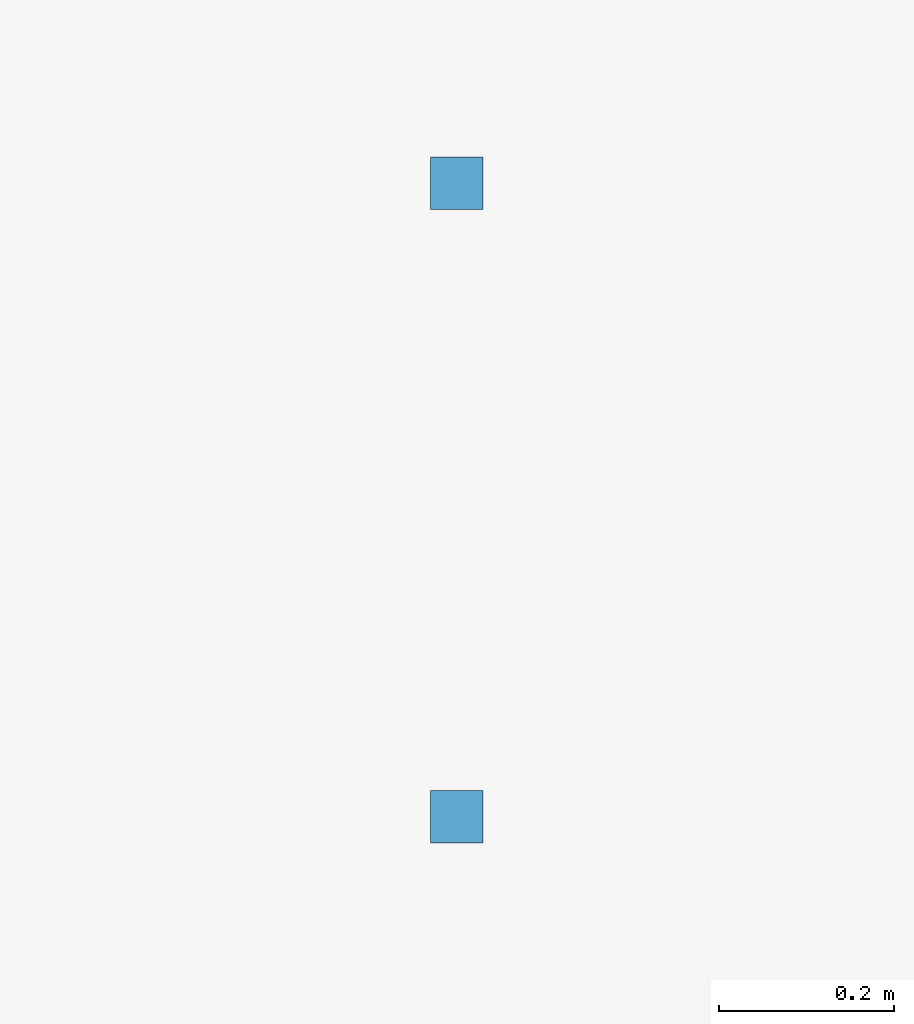
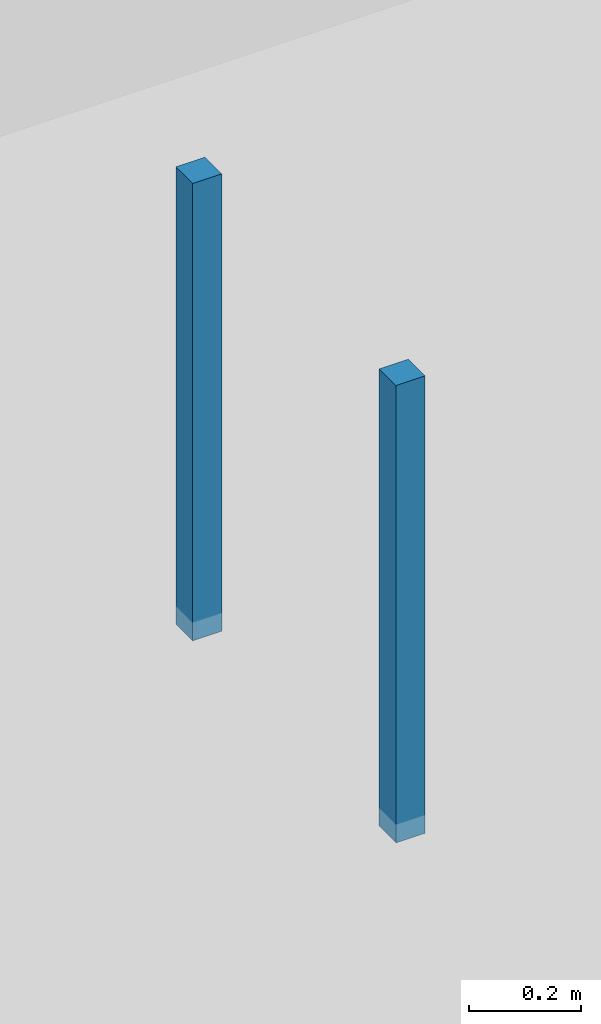
# One storey, part 15 of 35: 2 discrete accessories.
"""IFC4 building model written with IfcOpenShell, lengths in metres."""

import ifcopenshell
import ifcopenshell.guid

model = None  # the IFC model being written
_history = None  # IfcOwnerHistory: only IFC2X3 demands one
_inside = {}  # id of a spatial element -> (the spatial element, [elements in it])
_under = {}  # id of a project, library or spatial element -> (it, [spatial elements below it])
_declared = {}  # id of a project -> (the project, [libraries it declares])
_typed = {}  # id of a type object -> (the type object, [elements of that type])
_made_of = {}  # id of a material, layer set ... -> (it, [elements and type objects made of it])


def new_model(schema):
    """Start an empty IFC model of exactly this schema.

    Asked for "IFC4X3", IfcOpenShell would pick the latest addendum, in which some entities
    have other attributes; the version numbers below select the first issue.
    IFC2X3 requires an IfcOwnerHistory on every rooted entity: one is made here for all.
    """
    global model, _history
    if schema == "IFC4X3":
        model = ifcopenshell.file(schema_version=(4, 3, 0, 0))
    else:
        model = ifcopenshell.file(schema=schema)
    _inside.clear()
    _under.clear()
    _declared.clear()
    _typed.clear()
    _made_of.clear()
    _history = None
    if model.schema == "IFC2X3":
        org = make("IfcOrganization", Name="unknown")
        user = make(
            "IfcPersonAndOrganization",
            ThePerson=make("IfcPerson", FamilyName="unknown"),
            TheOrganization=org,
        )
        app = make(
            "IfcApplication",
            ApplicationDeveloper=org,
            Version="unknown",
            ApplicationFullName="unknown",
            ApplicationIdentifier="unknown",
        )
        _history = make(
            "IfcOwnerHistory",
            OwningUser=user,
            OwningApplication=app,
            ChangeAction="ADDED",
            CreationDate=0,
        )
    return model


def make(cls, **values):
    """One entity of the class cls with the attributes given. An attribute that is None is left unset."""
    return model.create_entity(
        cls, **{name: value for name, value in values.items() if value is not None}
    )


def rooted(cls, **values):
    """An entity with a GlobalId (a new one), such as an element, a storey or a relation."""
    return make(cls, GlobalId=ifcopenshell.guid.new(), OwnerHistory=_history, **values)


def si_unit(unit_type, name, prefix=None):
    """IfcSIUnit, for example si_unit("LENGTHUNIT", "METRE", prefix="MILLI")."""
    return make("IfcSIUnit", UnitType=unit_type, Prefix=prefix, Name=name)


def assignment(units):
    """IfcUnitAssignment: the units of a project."""
    return None if units is None else make("IfcUnitAssignment", Units=units)


def point(xyz):
    """IfcCartesianPoint."""
    return None if xyz is None else make("IfcCartesianPoint", Coordinates=xyz)


def direction(xyz):
    """IfcDirection."""
    return None if xyz is None else make("IfcDirection", DirectionRatios=xyz)


def frame(location, z_axis=None, x_axis=None):
    """IfcAxis2Placement3D, a coordinate frame: its origin and axes. An axis left out is left unset."""
    return make(
        "IfcAxis2Placement3D",
        Location=point(location),
        Axis=direction(z_axis),
        RefDirection=direction(x_axis),
    )


def frame_2d(location, x_axis=None):
    """IfcAxis2Placement2D, a coordinate frame in the plane: its origin and x axis."""
    return make(
        "IfcAxis2Placement2D", Location=point(location), RefDirection=direction(x_axis)
    )


def origin():
    """The frame at (0, 0, 0) with its axes left unset."""
    return frame((0.0, 0.0, 0.0))


def origin_2d():
    """The frame at (0, 0) in the plane with its x axis left unset."""
    return frame_2d((0.0, 0.0))


def place(relative_to, where):
    """IfcLocalPlacement: puts the frame where relative to a parent placement (None: the world)."""
    return make(
        "IfcLocalPlacement", PlacementRelTo=relative_to, RelativePlacement=where
    )


def context(
    kind, dimensions, precision=None, world=None, true_north=None, identifier=None
):
    """IfcGeometricRepresentationContext, for example the 3D "Model" context."""
    return make(
        "IfcGeometricRepresentationContext",
        ContextIdentifier=identifier,
        ContextType=kind,
        CoordinateSpaceDimension=dimensions,
        Precision=precision,
        WorldCoordinateSystem=world,
        TrueNorth=true_north,
    )


def subcontext(parent, identifier, kind, view, scale=None):
    """IfcGeometricRepresentationSubContext, for example "Body" below "Model"."""
    return make(
        "IfcGeometricRepresentationSubContext",
        ContextIdentifier=identifier,
        ContextType=kind,
        ParentContext=parent,
        TargetScale=scale,
        TargetView=view,
    )


def project(units=None, contexts=None):
    """IfcProject with its units and contexts."""
    return rooted(
        "IfcProject",
        Name="project",
        RepresentationContexts=contexts,
        UnitsInContext=assignment(units),
    )


def spatial(cls, under=None, at=None, **own):
    """A site, building, storey or space (cls), placed at a placement, below another one or the project."""
    s = rooted(cls, ObjectPlacement=at, **own)
    if under is not None:
        _under.setdefault(under.id(), (under, []))[1].append(s)
    return s


def profile(cls, at=None, kind="AREA", **sizes):
    """A parametric profile (cls). Its sizes go by their IFC names, for example OverallWidth=200.0."""
    return make(cls, ProfileType=kind, Position=at, **sizes)


def rectangle(**sizes):
    """IfcRectangleProfileDef."""
    return profile("IfcRectangleProfileDef", **sizes)


def extrude(swept, where, along, depth):
    """IfcExtrudedAreaSolid: the profile swept, set in the frame where, extruded along a direction by depth."""
    return make(
        "IfcExtrudedAreaSolid",
        SweptArea=swept,
        Position=where,
        ExtrudedDirection=direction(along),
        Depth=depth,
    )


def shape(context_of_items, identifier, shape_type, items):
    """IfcShapeRepresentation: the items that make up one representation, for example the "Body"."""
    return make(
        "IfcShapeRepresentation",
        ContextOfItems=context_of_items,
        RepresentationIdentifier=identifier,
        RepresentationType=shape_type,
        Items=items,
    )


def material(Name=None, Category=None):
    """IfcMaterial."""
    return make("IfcMaterial", Name=Name, Category=Category)


def made_of(thing, what):
    """Note that an element or type object is made of a material, layer set ...; save() writes the relation."""
    if what is not None:
        _made_of.setdefault(what.id(), (what, []))[1].append(thing)
    return thing


def type_object(cls, material=None, **own):
    """A type object (cls), such as IfcWallType, which elements share."""
    return made_of(rooted(cls, **own), material)


def element(
    cls,
    number,
    at=None,
    inside=None,
    cuts=None,
    type_object=None,
    material=None,
    context=None,
    identifier="Body",
    shape_type=None,
    held_by="IfcProductDefinitionShape",
    body=None,
    shapes=None,
    **own,
):
    """One element of the class cls, such as IfcWall. Its Tag is "e" and its number.

    at: its placement. inside: the storey or other place that contains it. cuts: it is an
    opening in that element (IfcRelVoidsElement). A single representation is given by context,
    identifier, shape_type and body (its items); several are given by shapes. held_by: the class
    of the entity that holds the representations. save() writes the other relations.
    """
    e = rooted(cls, Tag="e%d" % number, ObjectPlacement=at, **own)
    if body is not None:
        shapes = [shape(context, identifier, shape_type, body)]
    if shapes is not None:
        e.Representation = make(held_by, Representations=shapes)
    if inside is not None:
        _inside.setdefault(inside.id(), (inside, []))[1].append(e)
    if cuts is not None:
        rooted(
            "IfcRelVoidsElement", RelatingBuildingElement=cuts, RelatedOpeningElement=e
        )
    if type_object is not None:
        _typed.setdefault(type_object.id(), (type_object, []))[1].append(e)
    return made_of(e, material)


def aggregate(whole, parts):
    """IfcRelAggregates: a whole, such as a stair, and the parts it consists of."""
    return rooted("IfcRelAggregates", RelatingObject=whole, RelatedObjects=parts)


def save(model, path):
    """Write the relations noted so far, then the file.

    IfcRelAggregates (storeys below a building ...), IfcRelContainedInSpatialStructure (elements
    in a storey), IfcRelDefinesByType, IfcRelAssociatesMaterial and IfcRelDeclares: one each for
    every whole, place, type object, material and project.
    """
    for whole, parts in _under.values():
        aggregate(whole, parts)
    for where, things in _inside.values():
        rooted(
            "IfcRelContainedInSpatialStructure",
            RelatedElements=things,
            RelatingStructure=where,
        )
    for kind, things in _typed.values():
        rooted("IfcRelDefinesByType", RelatedObjects=things, RelatingType=kind)
    for what, things in _made_of.values():
        rooted("IfcRelAssociatesMaterial", RelatedObjects=things, RelatingMaterial=what)
    for by, libraries in _declared.values():
        rooted("IfcRelDeclares", RelatingContext=by, RelatedDefinitions=libraries)
    model.write(path)


model = new_model("IFC4")

# Units and contexts
model_context = context("Model", 3, precision=1e-05, world=origin(), true_north=direction((0.0, 1.0)))
body_context = subcontext(model_context, "Body", "Model", "MODEL_VIEW")
ifc_project = project(units=[si_unit("LENGTHUNIT", "METRE"), si_unit("AREAUNIT", "SQUARE_METRE"), si_unit("VOLUMEUNIT", "CUBIC_METRE"), si_unit("PLANEANGLEUNIT", "RADIAN"), si_unit("MASSUNIT", "GRAM", prefix="KILO")], contexts=[model_context])

# Site, building, storey
site_placement = place(None, origin())
site = spatial("IfcSite", under=ifc_project, at=site_placement, CompositionType="ELEMENT")
building_placement = place(site_placement, origin())
building = spatial("IfcBuilding", under=site, at=building_placement, Name="Telukmera Botanical Conservatory", CompositionType="ELEMENT")
storey_placement = place(building_placement, frame((0.0, 0.0, 28.5)))
storey = spatial("IfcBuildingStorey", under=building, at=storey_placement, Name="L06", CompositionType="ELEMENT", Elevation=28.5)

# Discrete accessories
ifc_material = material(Name="Steel S355", Category="steel")
discrete_accessory_type = type_object("IfcDiscreteAccessoryType", Name="ACC-CEIL-HGR", PredefinedType="BRACKET", material=ifc_material)
for number, where, z_axis, x_axis, name in (
    (1, (69.311279296875, 11.125, 3.31005859375), (0.0, 0.0, 1.0), (1.0, 0.0, 0.0), "L06 Suspended Ceiling Hanger Rod 032-1"),
    (2, (69.311279296875, 11.85009765625, 3.31005859375), (0.0, 0.0, 1.0), (1.0, 0.0, 0.0), "L06 Suspended Ceiling Hanger Rod 032-2"),
):
    element("IfcDiscreteAccessory", number, at=place(storey_placement, frame(where, z_axis=z_axis, x_axis=x_axis)), inside=storey, type_object=discrete_accessory_type, Name=name, PredefinedType="BRACKET", context=body_context, shape_type="SweptSolid", body=[
        extrude(rectangle(XDim=0.06005859375, YDim=0.06005859375, at=origin_2d()), origin(), (0.0, 0.0, 1.0), 0.9951171875),
    ])

save(model, "model.ifc")
